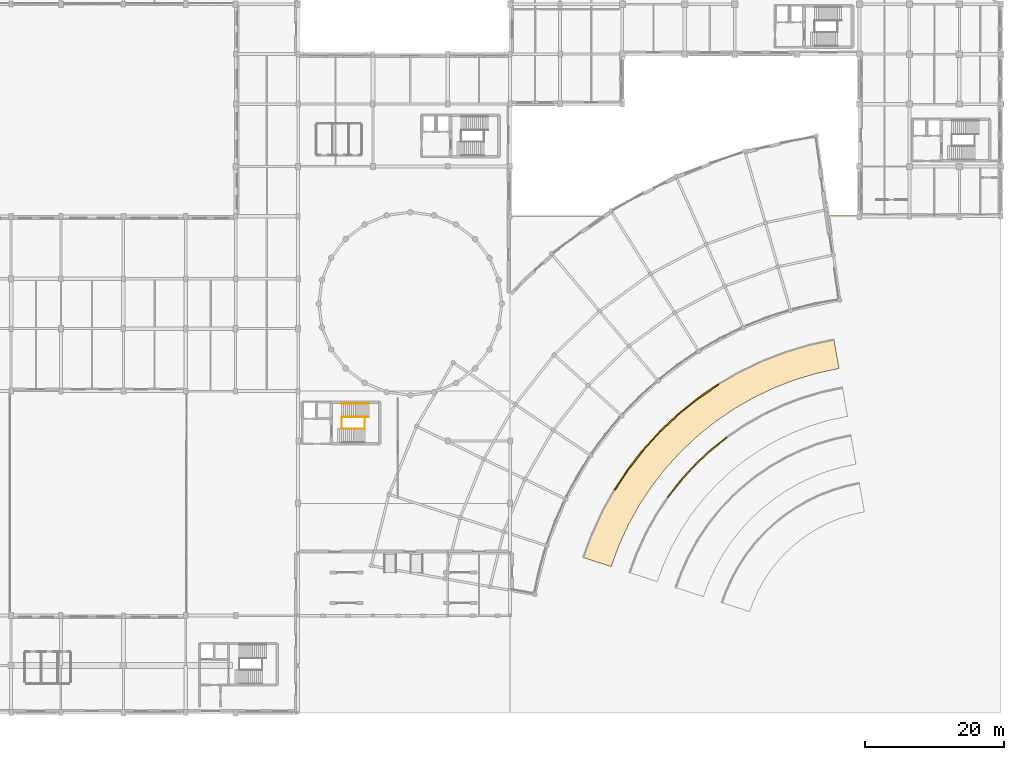
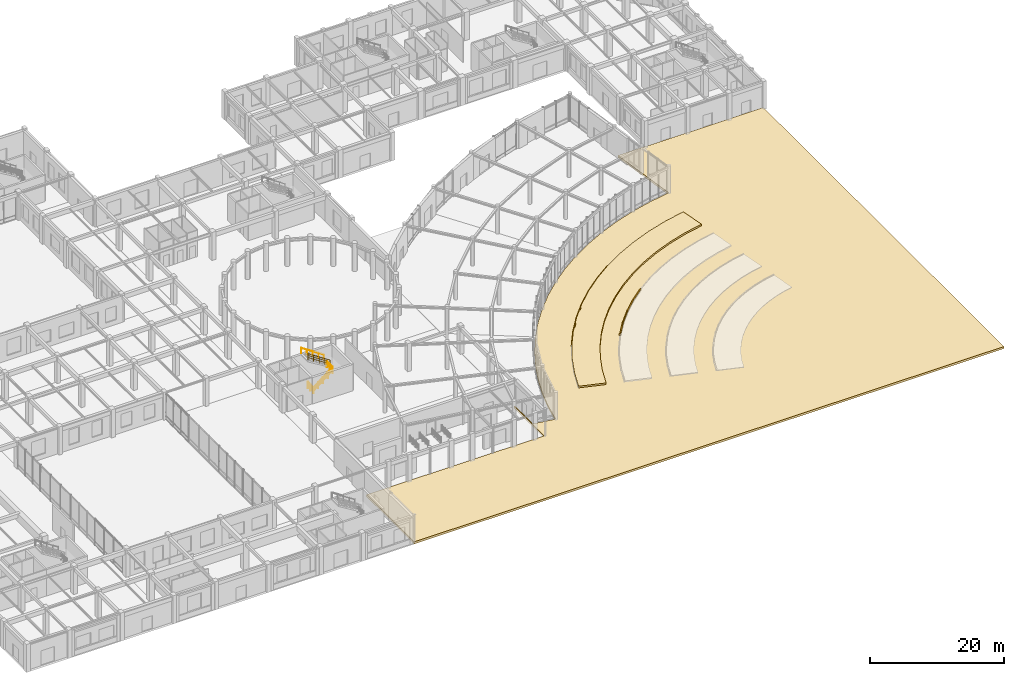
# One storey, part 60 of 64: 12 coverings, 5 railings.
"""IFC4 building model written with IfcOpenShell, lengths in metres."""

from ifc_helpers import new_model, si_unit, direction, frame, frame_2d, origin, origin_2d, place, context, subcontext, project, spatial, polyline, rectangle, circle, outline, extrude, material, layer, layer_set, type_object, element, save


model = new_model("IFC4")

# Units and contexts
model_context = context("Model", 3, precision=1e-05, world=origin(), true_north=direction((0.0, 1.0)))
body_context = subcontext(model_context, "Body", "Model", "MODEL_VIEW")
ifc_project = project(units=[si_unit("LENGTHUNIT", "METRE"), si_unit("AREAUNIT", "SQUARE_METRE"), si_unit("VOLUMEUNIT", "CUBIC_METRE"), si_unit("PLANEANGLEUNIT", "RADIAN"), si_unit("MASSUNIT", "GRAM", prefix="KILO")], contexts=[model_context])

# Site, building, storey
site_placement = place(None, origin())
site = spatial("IfcSite", under=ifc_project, at=site_placement, CompositionType="ELEMENT")
building_placement = place(site_placement, origin())
building = spatial("IfcBuilding", under=site, at=building_placement, Name="Clarverna Civic Hall", CompositionType="ELEMENT")
storey_placement = place(building_placement, origin())
storey = spatial("IfcBuildingStorey", under=building, at=storey_placement, Name="L00", CompositionType="ELEMENT", Elevation=0.0)

# Coverings
ifc_material_1 = material(Name="Thermally Modified Teak Wood Slat Fascia Cladding", Category="wood")
ifc_layer_1 = layer(ifc_material_1, 0.080078125)
ifc_layer_set_1 = layer_set([ifc_layer_1], Name="Thermally Modified Teak Wood Slat Fascia Cladding")
covering_type_1 = type_object("IfcCoveringType", Name="CV-CL1", PredefinedType="CLADDING", material=ifc_layer_set_1)
covering_1_placement = place(storey_placement, frame((127.260498046875, 47.372802734375, 0.02001953125), z_axis=(0.0, 0.0, 1.0), x_axis=(-0.825502194399, -0.564398907726, 0.0)))
element("IfcCovering", 1, at=covering_1_placement, inside=storey, type_object=covering_type_1, Name="CV-CL1-006", PredefinedType="CLADDING", context=body_context, shape_type="SweptSolid", body=[
    extrude(rectangle(XDim=3.59326171875, YDim=0.179931640625, at=frame_2d((1.796630859375, 0.0))), origin(), (0.0, 0.0, 1.0), 0.320068359375),
])
covering_2_placement = place(storey_placement, frame((124.294189453125, 45.3447265625, 0.02001953125), z_axis=(0.0, 0.0, 1.0), x_axis=(-0.77949471576, -0.626408802702, 0.0)))
element("IfcCovering", 2, at=covering_2_placement, inside=storey, type_object=covering_type_1, Name="CV-CL1-007", PredefinedType="CLADDING", context=body_context, shape_type="SweptSolid", body=[
    extrude(rectangle(XDim=3.593017578125, YDim=0.179931640625, at=frame_2d((1.79638671875, 0.0))), origin(), (0.0, 0.0, 1.0), 0.320068359375),
])
covering_3_placement = place(storey_placement, frame((121.493408203125, 43.093994140625, 0.02001953125), z_axis=(0.0, 0.0, 1.0), x_axis=(-0.72881005679, -0.684715927317, 0.0)))
element("IfcCovering", 3, at=covering_3_placement, inside=storey, type_object=covering_type_1, Name="CV-CL1-008", PredefinedType="CLADDING", context=body_context, shape_type="SweptSolid", body=[
    extrude(rectangle(XDim=3.593505859375, YDim=0.179931640625, at=frame_2d((1.796875, 0.0))), origin(), (0.0, 0.0, 1.0), 0.320068359375),
])
for number, where, z_axis, x_axis, name in (
    (4, (118.87451171875, 40.633544921875, 0.02001953125), (0.0, 0.0, 1.0), (-0.673740762878, -0.738967783084, 0.0), "CV-CL1-009"),
    (5, (116.45361328125, 37.978271484375, 0.02001953125), (0.0, 0.0, 1.0), (-0.6146929493, -0.78876649148, 0.0), "CV-CL1-010"),
    (6, (114.244873046875, 35.14404296875, 0.02001953125), (0.0, 0.0, 1.0), (-0.551921795661, -0.833895875679, 0.0), "CV-CL1-011"),
):
    element("IfcCovering", number, at=place(storey_placement, frame(where, z_axis=z_axis, x_axis=x_axis)), inside=storey, type_object=covering_type_1, Name=name, PredefinedType="CLADDING", context=body_context, shape_type="SweptSolid", body=[
        extrude(rectangle(XDim=3.59326171875, YDim=0.179931640625, at=frame_2d((1.796630859375, 0.0))), origin(), (0.0, 0.0, 1.0), 0.320068359375),
    ])
covering_4_placement = place(storey_placement, frame((128.46484375, 39.722900390625, 0.02001953125), z_axis=(0.0, 0.0, 1.0), x_axis=(-0.779501262775, -0.626400655597, 0.0)))
element("IfcCovering", 7, at=covering_4_placement, inside=storey, type_object=covering_type_1, Name="CV-CL1-021", PredefinedType="CLADDING", context=body_context, shape_type="SweptSolid", body=[
    extrude(rectangle(XDim=3.05224609375, YDim=0.179931640625, at=frame_2d((1.526123046875, 0.0))), origin(), (0.0, 0.0, 1.0), 0.320068359375),
])
covering_5_placement = place(storey_placement, frame((126.085693359375, 37.81103515625, 0.02001953125), z_axis=(0.0, 0.0, 1.0), x_axis=(-0.728798481172, -0.684728248169, 0.0)))
element("IfcCovering", 8, at=covering_5_placement, inside=storey, type_object=covering_type_1, Name="CV-CL1-022", PredefinedType="CLADDING", context=body_context, shape_type="SweptSolid", body=[
    extrude(rectangle(XDim=3.052490234375, YDim=0.179931640625, at=frame_2d((1.5263671875, 0.0))), origin(), (0.0, 0.0, 1.0), 0.320068359375),
])
covering_6_placement = place(storey_placement, frame((123.861083984375, 35.720947265625, 0.02001953125), z_axis=(0.0, 0.0, 1.0), x_axis=(-0.6737589964, -0.738951158583, 0.0)))
element("IfcCovering", 9, at=covering_6_placement, inside=storey, type_object=covering_type_1, Name="CV-CL1-023", PredefinedType="CLADDING", context=body_context, shape_type="SweptSolid", body=[
    extrude(rectangle(XDim=3.05224609375, YDim=0.179931640625, at=frame_2d((1.526123046875, 0.0))), origin(), (0.0, 0.0, 1.0), 0.320068359375),
])
covering_7_placement = place(storey_placement, frame((121.8046875, 33.465576171875, 0.02001953125), z_axis=(0.0, 0.0, 1.0), x_axis=(-0.614665734296, -0.788787699626, 0.0)))
element("IfcCovering", 10, at=covering_7_placement, inside=storey, type_object=covering_type_1, Name="CV-CL1-024", PredefinedType="CLADDING", context=body_context, shape_type="SweptSolid", body=[
    extrude(rectangle(XDim=3.052490234375, YDim=0.179931640625, at=frame_2d((1.5263671875, 0.0))), origin(), (0.0, 0.0, 1.0), 0.320068359375),
])
ifc_material_2 = material(Name="Planted Civic Terrace Vegetated Substrate and Drainage Build-Up")
ifc_layer_2 = layer(ifc_material_2, 0.25)
ifc_layer_set_2 = layer_set([ifc_layer_2], Name="Planted Civic Terrace Vegetated Substrate and Drainage Build-Up")
covering_type_2 = type_object("IfcCoveringType", Name="CV-RF1", PredefinedType="ROOFING", material=ifc_layer_set_2)
covering_8_placement = place(storey_placement, frame((0.0, 0.0, -0.320068359375)))
element("IfcCovering", 11, at=covering_8_placement, inside=storey, type_object=covering_type_2, Name="CV-RF1-001", PredefinedType="ROOFING", context=body_context, shape_type="SweptSolid", body=[
    extrude(outline(polyline([(66.60009765625, 14.14990234375), (97.10009765625, 14.14990234375), (97.10009765625, 23.0400390625), (97.264892578125, 23.0), (97.264892578125, 17.69189453125), (100.7587890625, 17.07568359375), (101.506103515625, 20.5908203125), (102.506591796875, 24.079833984375), (103.748779296875, 27.4931640625), (105.226318359375, 30.8115234375), (106.931396484375, 34.018798828125), (108.856201171875, 37.09912109375), (110.990966796875, 40.037841796875), (113.325927734375, 42.820556640625), (115.85107421875, 45.435302734375), (118.55029296875, 47.86572265625), (121.412841796875, 50.10205078125), (124.42431640625, 52.133056640625), (127.570068359375, 53.94921875), (130.834716796875, 55.54150390625), (134.20263671875, 56.902099609375), (137.6572265625, 58.0244140625), (141.178955078125, 58.902587890625), (144.718017578125, 59.526611328125), (143.007080078125, 71.699951171875), (147.639892578125, 71.699951171875), (147.639892578125, 71.639892578125), (167.9599609375, 71.639892578125), (168.0, 71.699951171875), (168.0, 0.0), (66.60009765625, 0.0), (66.60009765625, 14.14990234375)])), origin(), (0.0, 0.0, 1.0), 0.380126953125),
])
covering_9_placement = place(storey_placement, frame((0.0, 0.0, 0.0400390625)))
element("IfcCovering", 12, at=covering_9_placement, inside=storey, type_object=covering_type_2, Name="CV-RF1-003", PredefinedType="ROOFING", context=body_context, shape_type="SweptSolid", body=[
    extrude(outline(polyline([(144.65478515625, 49.657470703125), (141.4599609375, 48.9658203125), (138.328125, 48.029541015625), (135.278076171875, 46.8544921875), (132.327880859375, 45.447265625), (129.4951171875, 43.81640625), (126.796630859375, 41.9716796875), (124.248779296875, 39.92431640625), (121.866455078125, 37.68603515625), (119.664306640625, 35.2705078125), (117.655029296875, 32.6923828125), (115.850830078125, 29.966552734375), (114.2626953125, 27.10986328125), (112.899658203125, 24.138916015625), (111.770263671875, 21.0712890625), (107.77587890625, 22.369384765625), (109.017578125, 25.7412109375), (110.515625, 29.007080078125), (112.26171875, 32.147705078125), (114.244873046875, 35.14404296875), (116.45361328125, 37.978271484375), (118.87451171875, 40.633544921875), (121.493408203125, 43.093994140625), (124.294189453125, 45.3447265625), (127.260498046875, 47.372802734375), (130.37451171875, 49.165283203125), (133.617919921875, 50.71240234375), (136.970703125, 52.004150390625), (140.41357421875, 53.033203125), (143.92529296875, 53.793701171875), (144.65478515625, 49.657470703125)])), origin(), (0.0, 0.0, 1.0), 0.320068359375),
])

# Railings
ifc_material_3 = material(Name="Anodised Bronze Architectural Balustrade")
railing_type_1 = type_object("IfcRailingType", Name="GR-02", PredefinedType="BALUSTRADE", material=ifc_material_3)
railing_1_placement = place(storey_placement, frame((72.949951171875, 40.9599609375, 0.0)))
element("IfcRailing", 13, at=railing_1_placement, inside=storey, type_object=railing_type_1, Name="GR-02-091", PredefinedType="BALUSTRADE", context=body_context, shape_type="SweptSolid", body=[
    extrude(circle(Radius=0.02392578125, at=origin_2d()), frame((0.0, 0.0, 1.09619140625), z_axis=(0.789942972042, 0.0, 0.613180316809), x_axis=(0.0, 1.0, 0.0)), (0.0, 0.0, 1.0), 4.15869140625),
    extrude(circle(Radius=0.011962890625, at=origin_2d()), frame((0.0, 0.0, 0.39208984375), z_axis=(0.789942972042, 0.0, 0.613180316809), x_axis=(0.0, 1.0, 0.0)), (0.0, 0.0, 1.0), 4.15869140625),
    extrude(circle(Radius=0.011962890625, at=origin_2d()), frame((0.0, 0.0, 0.76171875), z_axis=(0.789942972042, 0.0, 0.613180316809), x_axis=(0.0, 1.0, 0.0)), (0.0, 0.0, 1.0), 4.15869140625),
    extrude(circle(Radius=0.02099609375, at=origin_2d()), origin(), (0.0, 0.0, 1.0), 1.072021484375),
    extrude(circle(Radius=0.02099609375, at=origin_2d()), frame((0.8212890625, 0.0, 0.637451171875)), (0.0, 0.0, 1.0), 1.072021484375),
    extrude(circle(Radius=0.02099609375, at=origin_2d()), frame((1.642578125, 0.0, 1.27490234375)), (0.0, 0.0, 1.0), 1.072021484375),
    extrude(circle(Radius=0.02099609375, at=origin_2d()), frame((2.4638671875, 0.0, 1.91259765625)), (0.0, 0.0, 1.0), 1.072021484375),
    extrude(circle(Radius=0.02099609375, at=origin_2d()), frame((3.28515625, 0.0, 2.550048828125)), (0.0, 0.0, 1.0), 1.072021484375),
])
railing_2_placement = place(storey_placement, frame((76.235107421875, 40.9599609375, 2.550048828125)))
element("IfcRailing", 14, at=railing_2_placement, inside=storey, type_object=railing_type_1, Name="GR-02-092", PredefinedType="BALUSTRADE", context=body_context, shape_type="SweptSolid", body=[
    extrude(circle(Radius=0.02392578125, at=origin_2d()), frame((0.0, 0.0, 1.09619140625), z_axis=(0.0, 1.0, 0.0), x_axis=(-1.0, 0.0, 0.0)), (0.0, 0.0, 1.0), 1.679931640625),
    extrude(circle(Radius=0.011962890625, at=origin_2d()), frame((0.0, 0.0, 0.39208984375), z_axis=(0.0, 1.0, 0.0), x_axis=(-1.0, 0.0, 0.0)), (0.0, 0.0, 1.0), 1.679931640625),
    extrude(circle(Radius=0.011962890625, at=origin_2d()), frame((0.0, 0.0, 0.76171875), z_axis=(0.0, 1.0, 0.0), x_axis=(-1.0, 0.0, 0.0)), (0.0, 0.0, 1.0), 1.679931640625),
    extrude(circle(Radius=0.02099609375, at=origin_2d()), origin(), (0.0, 0.0, 1.0), 1.072021484375),
    extrude(circle(Radius=0.02099609375, at=origin_2d()), frame((0.0, 0.83984375, 0.0)), (0.0, 0.0, 1.0), 1.072021484375),
    extrude(circle(Radius=0.02099609375, at=origin_2d()), frame((0.0, 1.679931640625, 0.0)), (0.0, 0.0, 1.0), 1.072021484375),
])
railing_3_placement = place(storey_placement, frame((76.804931640625, 42.639892578125, 2.550048828125)))
element("IfcRailing", 15, at=railing_3_placement, inside=storey, type_object=railing_type_1, Name="GR-02-093", PredefinedType="BALUSTRADE", context=body_context, shape_type="SweptSolid", body=[
    extrude(circle(Radius=0.02392578125, at=origin_2d()), frame((0.0, 0.0, 1.09619140625), z_axis=(-0.834035861889, 0.0, 0.551710232896), x_axis=(0.0, -1.0, 0.0)), (0.0, 0.0, 1.0), 4.6220703125),
    extrude(circle(Radius=0.011962890625, at=origin_2d()), frame((0.0, 0.0, 0.39208984375), z_axis=(-0.834035861889, 0.0, 0.551710232896), x_axis=(0.0, -1.0, 0.0)), (0.0, 0.0, 1.0), 4.6220703125),
    extrude(circle(Radius=0.011962890625, at=origin_2d()), frame((0.0, 0.0, 0.76171875), z_axis=(-0.834035861889, 0.0, 0.551710232896), x_axis=(0.0, -1.0, 0.0)), (0.0, 0.0, 1.0), 4.6220703125),
    extrude(circle(Radius=0.02099609375, at=origin_2d()), origin(), (0.0, 0.0, 1.0), 1.072021484375),
    extrude(circle(Radius=0.02099609375, at=origin_2d()), frame((-0.9638671875, 0.0, 0.637451171875)), (0.0, 0.0, 1.0), 1.072021484375),
    extrude(circle(Radius=0.02099609375, at=origin_2d()), frame((-1.927490234375, 0.0, 1.27490234375)), (0.0, 0.0, 1.0), 1.072021484375),
    extrude(circle(Radius=0.02099609375, at=origin_2d()), frame((-2.89111328125, 0.0, 1.91259765625)), (0.0, 0.0, 1.0), 1.072021484375),
    extrude(circle(Radius=0.02099609375, at=origin_2d()), frame((-3.85498046875, 0.0, 2.550048828125)), (0.0, 0.0, 1.0), 1.072021484375),
])
railing_4_placement = place(storey_placement, frame((72.909912109375, 41.0, 0.0)))
element("IfcRailing", 16, at=railing_4_placement, inside=storey, type_object=railing_type_1, Name="GR-02-094", PredefinedType="BALUSTRADE", context=body_context, shape_type="SweptSolid", body=[
    extrude(circle(Radius=0.02392578125, at=origin_2d()), frame((0.0, 0.0, 1.09619140625), z_axis=(0.0, 1.0, 0.0), x_axis=(-1.0, 0.0, 0.0)), (0.0, 0.0, 1.0), 1.56005859375),
    extrude(circle(Radius=0.011962890625, at=origin_2d()), frame((0.0, 0.0, 0.39208984375), z_axis=(0.0, 1.0, 0.0), x_axis=(-1.0, 0.0, 0.0)), (0.0, 0.0, 1.0), 1.56005859375),
    extrude(circle(Radius=0.011962890625, at=origin_2d()), frame((0.0, 0.0, 0.76171875), z_axis=(0.0, 1.0, 0.0), x_axis=(-1.0, 0.0, 0.0)), (0.0, 0.0, 1.0), 1.56005859375),
    extrude(circle(Radius=0.02099609375, at=origin_2d()), origin(), (0.0, 0.0, 1.0), 1.072021484375),
    extrude(circle(Radius=0.02099609375, at=origin_2d()), frame((0.0, 0.780029296875, 0.0)), (0.0, 0.0, 1.0), 1.072021484375),
    extrude(circle(Radius=0.02099609375, at=origin_2d()), frame((0.0, 1.56005859375, 0.0)), (0.0, 0.0, 1.0), 1.072021484375),
])
ifc_material_4 = material(Name="Anodised Bronze Continuous Handrail")
railing_type_2 = type_object("IfcRailingType", Name="HR-01", PredefinedType="HANDRAIL", material=ifc_material_4)
railing_5_placement = place(storey_placement, frame((76.820068359375, 44.6201171875, 2.550048828125)))
element("IfcRailing", 17, at=railing_5_placement, inside=storey, type_object=railing_type_2, Name="HR-01-046", PredefinedType="HANDRAIL", context=body_context, shape_type="SweptSolid", body=[
    extrude(circle(Radius=0.02392578125, at=origin_2d()), frame((0.0, 0.0, 0.89599609375), z_axis=(-0.83502861022, 0.0, 0.550206524965), x_axis=(0.0, -1.0, 0.0)), (0.0, 0.0, 1.0), 4.634765625),
    extrude(circle(Radius=0.02099609375, at=origin_2d()), origin(), (0.0, 0.0, 1.0), 0.871826171875),
    extrude(circle(Radius=0.02099609375, at=origin_2d()), frame((-0.967529296875, 0.0, 0.637451171875)), (0.0, 0.0, 1.0), 0.871826171875),
    extrude(circle(Radius=0.02099609375, at=origin_2d()), frame((-1.93505859375, 0.0, 1.27490234375)), (0.0, 0.0, 1.0), 0.871826171875),
    extrude(circle(Radius=0.02099609375, at=origin_2d()), frame((-2.902587890625, 0.0, 1.91259765625)), (0.0, 0.0, 1.0), 0.871826171875),
    extrude(circle(Radius=0.02099609375, at=origin_2d()), frame((-3.8701171875, 0.0, 2.550048828125)), (0.0, 0.0, 1.0), 0.871826171875),
])

save(model, "model.ifc")
